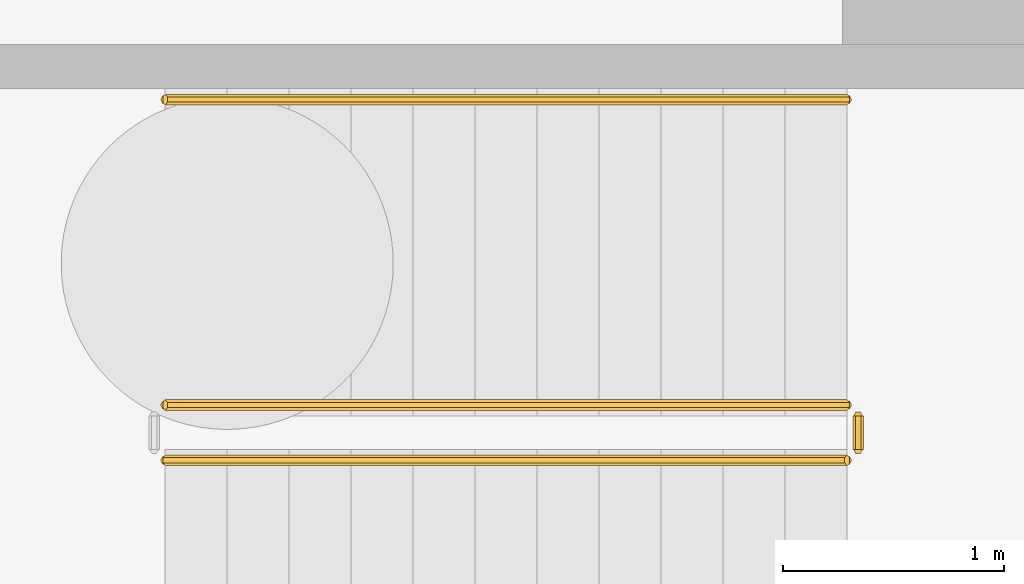
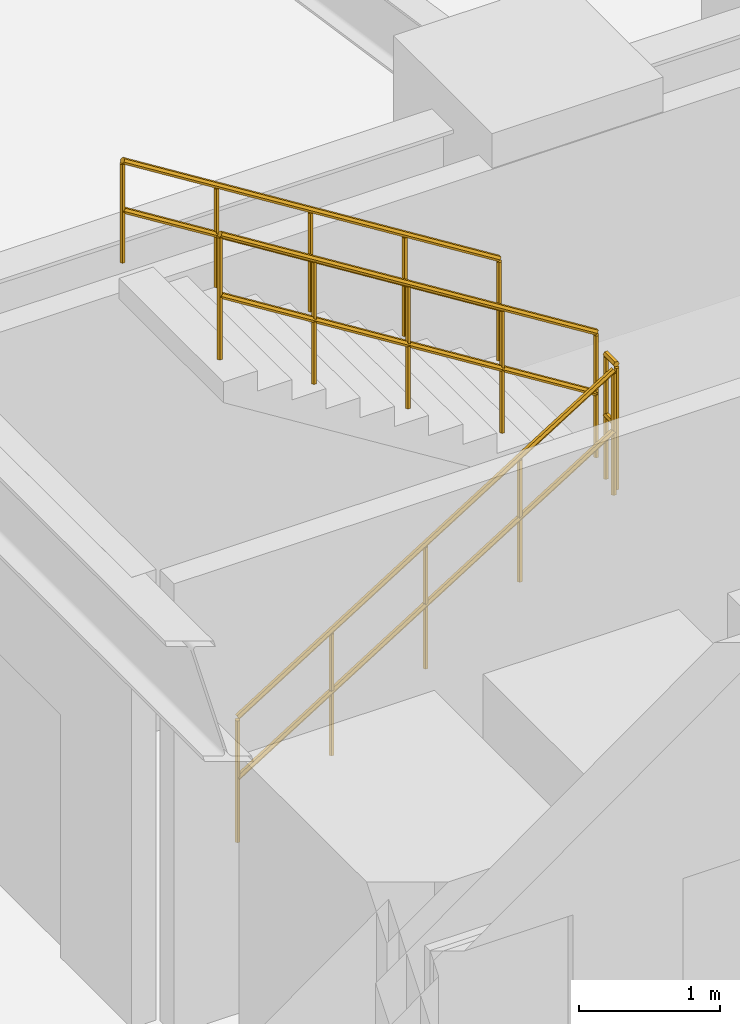
# One storey, part 21 of 23: 4 railings.
"""IFC4 building model written with IfcOpenShell, lengths in metres."""

from ifc_helpers import new_model, si_unit, direction, frame, origin, place, context, subcontext, project, spatial, polyline, outline, extrude, material, type_object, element, save


model = new_model("IFC4")

# Units and contexts
model_context = context("Model", 3, precision=1e-05, world=origin(), true_north=direction((0.0, 1.0)))
body_context = subcontext(model_context, "Body", "Model", "MODEL_VIEW")
ifc_project = project(units=[si_unit("LENGTHUNIT", "METRE"), si_unit("AREAUNIT", "SQUARE_METRE"), si_unit("VOLUMEUNIT", "CUBIC_METRE"), si_unit("PLANEANGLEUNIT", "RADIAN"), si_unit("MASSUNIT", "GRAM", prefix="KILO")], contexts=[model_context])

# Site, building, storey
site_placement = place(None, origin())
site = spatial("IfcSite", under=ifc_project, at=site_placement, CompositionType="ELEMENT")
building_placement = place(site_placement, origin())
building = spatial("IfcBuilding", under=site, at=building_placement, Name="Kelanora Arch Commons", CompositionType="ELEMENT")
storey_placement = place(building_placement, frame((0.0, 0.0, -8.39990234375)))
storey = spatial("IfcBuildingStorey", under=building, at=storey_placement, Name="B02", CompositionType="ELEMENT", Elevation=-8.39990234375)

# Railings
ifc_material_1 = material(Name="Painted steel stair well guard", Category="steel")
railing_type_1 = type_object("IfcRailingType", Name="RAIL-STAIR-GRD", PredefinedType="GUARDRAIL", material=ifc_material_1)
railing_1_placement = place(storey_placement, frame((67.719970703125, 62.610107421875, 0.1748046875)))
element("IfcRailing", 1, at=railing_1_placement, inside=storey, type_object=railing_type_1, Name="B02 ST-T1 stair guard 1", PredefinedType="GUARDRAIL", context=body_context, shape_type="SweptSolid", body=[
    extrude(outline(polyline([(0.02392578125, 0.0), (0.011962890625, 0.020751953125), (-0.011962890625, 0.020751953125), (-0.02392578125, 0.0), (-0.011962890625, -0.020751953125), (0.011962890625, -0.020751953125), (0.02392578125, 0.0)])), frame((0.0, 0.0, 1.076171875), z_axis=(0.847998304005, 0.0, 0.529998940003), x_axis=(0.0, 1.0, 0.0)), (0.0, 0.0, 1.0), 3.632080078125),
    extrude(outline(polyline([(0.02392578125, 0.0), (0.011962890625, 0.020751953125), (-0.011962890625, 0.020751953125), (-0.02392578125, 0.0), (-0.011962890625, -0.020751953125), (0.011962890625, -0.020751953125), (0.02392578125, 0.0)])), frame((0.0, 0.0, 0.550048828125), z_axis=(0.847998304005, 0.0, 0.529998940003), x_axis=(0.0, 1.0, 0.0)), (0.0, 0.0, 1.0), 3.632080078125),
    extrude(outline(polyline([(0.02099609375, 0.0), (0.010498046875, 0.01806640625), (-0.010498046875, 0.01806640625), (-0.02099609375, 0.0), (-0.010498046875, -0.01806640625), (0.010498046875, -0.01806640625), (0.02099609375, 0.0)])), origin(), (0.0, 0.0, 1.0), 1.052001953125),
    extrude(outline(polyline([(0.02099609375, 0.0), (0.010498046875, 0.01806640625), (-0.010498046875, 0.01806640625), (-0.02099609375, 0.0), (-0.010498046875, -0.01806640625), (0.010498046875, -0.01806640625), (0.02099609375, 0.0)])), frame((0.77001953125, 0.0, 0.481201171875)), (0.0, 0.0, 1.0), 1.052001953125),
    extrude(outline(polyline([(0.02099609375, 0.0), (0.010498046875, 0.01806640625), (-0.010498046875, 0.01806640625), (-0.02099609375, 0.0), (-0.010498046875, -0.01806640625), (0.010498046875, -0.01806640625), (0.02099609375, 0.0)])), frame((1.5400390625, 0.0, 0.96240234375)), (0.0, 0.0, 1.0), 1.052001953125),
    extrude(outline(polyline([(0.02099609375, 0.0), (0.010498046875, 0.01806640625), (-0.010498046875, 0.01806640625), (-0.02099609375, 0.0), (-0.010498046875, -0.01806640625), (0.010498046875, -0.01806640625), (0.02099609375, 0.0)])), frame((2.31005859375, 0.0, 1.44384765625)), (0.0, 0.0, 1.0), 1.052001953125),
    extrude(outline(polyline([(0.02099609375, 0.0), (0.010498046875, 0.01806640625), (-0.010498046875, 0.01806640625), (-0.02099609375, 0.0), (-0.010498046875, -0.01806640625), (0.010498046875, -0.01806640625), (0.02099609375, 0.0)])), frame((3.080078125, 0.0, 1.925048828125)), (0.0, 0.0, 1.0), 1.052001953125),
])
railing_2_placement = place(storey_placement, frame((70.85009765625, 62.659912109375, 2.099853515625)))
element("IfcRailing", 2, at=railing_2_placement, inside=storey, type_object=railing_type_1, Name="B02 ST-T1 stair guard 2", PredefinedType="GUARDRAIL", context=body_context, shape_type="SweptSolid", body=[
    extrude(outline(polyline([(0.02392578125, 0.0), (0.011962890625, 0.020751953125), (-0.011962890625, 0.020751953125), (-0.02392578125, 0.0), (-0.011962890625, -0.020751953125), (0.011962890625, -0.020751953125), (0.02392578125, 0.0)])), frame((0.0, 0.0, 1.076171875), z_axis=(0.0, 1.0, 0.0), x_axis=(-1.0, 0.0, 0.0)), (0.0, 0.0, 1.0), 0.150146484375),
    extrude(outline(polyline([(0.02392578125, 0.0), (0.011962890625, 0.020751953125), (-0.011962890625, 0.020751953125), (-0.02392578125, 0.0), (-0.011962890625, -0.020751953125), (0.011962890625, -0.020751953125), (0.02392578125, 0.0)])), frame((0.0, 0.0, 0.550048828125), z_axis=(0.0, 1.0, 0.0), x_axis=(-1.0, 0.0, 0.0)), (0.0, 0.0, 1.0), 0.150146484375),
    extrude(outline(polyline([(0.02099609375, 0.0), (0.010498046875, 0.01806640625), (-0.010498046875, 0.01806640625), (-0.02099609375, 0.0), (-0.010498046875, -0.01806640625), (0.010498046875, -0.01806640625), (0.02099609375, 0.0)])), origin(), (0.0, 0.0, 1.0), 1.052001953125),
    extrude(outline(polyline([(0.02099609375, 0.0), (0.010498046875, 0.01806640625), (-0.010498046875, 0.01806640625), (-0.02099609375, 0.0), (-0.010498046875, -0.01806640625), (0.010498046875, -0.01806640625), (0.02099609375, 0.0)])), frame((0.0, 0.150146484375, 0.0)), (0.0, 0.0, 1.0), 1.052001953125),
])
railing_3_placement = place(storey_placement, frame((70.800048828125, 62.860107421875, 2.27490234375)))
element("IfcRailing", 3, at=railing_3_placement, inside=storey, type_object=railing_type_1, Name="B02 ST-T1 stair guard 3", PredefinedType="GUARDRAIL", context=body_context, shape_type="SweptSolid", body=[
    extrude(outline(polyline([(0.02392578125, 0.0), (0.011962890625, 0.020751953125), (-0.011962890625, 0.020751953125), (-0.02392578125, 0.0), (-0.011962890625, -0.020751953125), (0.011962890625, -0.020751953125), (0.02392578125, 0.0)])), frame((0.0, 0.0, 1.076171875), z_axis=(-0.847998304005, 0.0, 0.529998940003), x_axis=(0.0, -1.0, 0.0)), (0.0, 0.0, 1.0), 3.632080078125),
    extrude(outline(polyline([(0.02392578125, 0.0), (0.011962890625, 0.020751953125), (-0.011962890625, 0.020751953125), (-0.02392578125, 0.0), (-0.011962890625, -0.020751953125), (0.011962890625, -0.020751953125), (0.02392578125, 0.0)])), frame((0.0, 0.0, 0.550048828125), z_axis=(-0.847998304005, 0.0, 0.529998940003), x_axis=(0.0, -1.0, 0.0)), (0.0, 0.0, 1.0), 3.632080078125),
    extrude(outline(polyline([(0.02099609375, 0.0), (0.010498046875, 0.01806640625), (-0.010498046875, 0.01806640625), (-0.02099609375, 0.0), (-0.010498046875, -0.01806640625), (0.010498046875, -0.01806640625), (0.02099609375, 0.0)])), origin(), (0.0, 0.0, 1.0), 1.052001953125),
    extrude(outline(polyline([(0.02099609375, 0.0), (0.010498046875, 0.01806640625), (-0.010498046875, 0.01806640625), (-0.02099609375, 0.0), (-0.010498046875, -0.01806640625), (0.010498046875, -0.01806640625), (0.02099609375, 0.0)])), frame((-0.77001953125, 0.0, 0.481201171875)), (0.0, 0.0, 1.0), 1.052001953125),
    extrude(outline(polyline([(0.02099609375, 0.0), (0.010498046875, 0.01806640625), (-0.010498046875, 0.01806640625), (-0.02099609375, 0.0), (-0.010498046875, -0.01806640625), (0.010498046875, -0.01806640625), (0.02099609375, 0.0)])), frame((-1.5400390625, 0.0, 0.96240234375)), (0.0, 0.0, 1.0), 1.052001953125),
    extrude(outline(polyline([(0.02099609375, 0.0), (0.010498046875, 0.01806640625), (-0.010498046875, 0.01806640625), (-0.02099609375, 0.0), (-0.010498046875, -0.01806640625), (0.010498046875, -0.01806640625), (0.02099609375, 0.0)])), frame((-2.31005859375, 0.0, 1.44384765625)), (0.0, 0.0, 1.0), 1.052001953125),
    extrude(outline(polyline([(0.02099609375, 0.0), (0.010498046875, 0.01806640625), (-0.010498046875, 0.01806640625), (-0.02099609375, 0.0), (-0.010498046875, -0.01806640625), (0.010498046875, -0.01806640625), (0.02099609375, 0.0)])), frame((-3.080078125, 0.0, 1.925048828125)), (0.0, 0.0, 1.0), 1.052001953125),
])
ifc_material_2 = material(Name="Brushed stainless steel stair handrail", Category="steel")
railing_type_2 = type_object("IfcRailingType", Name="RAIL-STAIR-HND", PredefinedType="HANDRAIL", material=ifc_material_2)
railing_4_placement = place(storey_placement, frame((70.800048828125, 64.239990234375, 2.27490234375)))
element("IfcRailing", 4, at=railing_4_placement, inside=storey, type_object=railing_type_2, Name="B02 ST-T1 stair handrail 2", PredefinedType="HANDRAIL", context=body_context, shape_type="SweptSolid", body=[
    extrude(outline(polyline([(0.02392578125, 0.0), (0.011962890625, 0.020751953125), (-0.011962890625, 0.020751953125), (-0.02392578125, 0.0), (-0.011962890625, -0.020751953125), (0.011962890625, -0.020751953125), (0.02392578125, 0.0)])), frame((0.0, 0.0, 0.8759765625), z_axis=(-0.847998304005, 0.0, 0.529998940003), x_axis=(0.0, -1.0, 0.0)), (0.0, 0.0, 1.0), 3.632080078125),
    extrude(outline(polyline([(0.02392578125, 0.0), (0.011962890625, 0.020751953125), (-0.011962890625, 0.020751953125), (-0.02392578125, 0.0), (-0.011962890625, -0.020751953125), (0.011962890625, -0.020751953125), (0.02392578125, 0.0)])), frame((0.0, 0.0, 0.449951171875), z_axis=(-0.847998304005, 0.0, 0.529998940003), x_axis=(0.0, -1.0, 0.0)), (0.0, 0.0, 1.0), 3.632080078125),
    extrude(outline(polyline([(0.02099609375, 0.0), (0.010498046875, 0.01806640625), (-0.010498046875, 0.01806640625), (-0.02099609375, 0.0), (-0.010498046875, -0.01806640625), (0.010498046875, -0.01806640625), (0.02099609375, 0.0)])), origin(), (0.0, 0.0, 1.0), 0.851806640625),
    extrude(outline(polyline([(0.02099609375, 0.0), (0.010498046875, 0.01806640625), (-0.010498046875, 0.01806640625), (-0.02099609375, 0.0), (-0.010498046875, -0.01806640625), (0.010498046875, -0.01806640625), (0.02099609375, 0.0)])), frame((-0.77001953125, 0.0, 0.481201171875)), (0.0, 0.0, 1.0), 0.851806640625),
    extrude(outline(polyline([(0.02099609375, 0.0), (0.010498046875, 0.01806640625), (-0.010498046875, 0.01806640625), (-0.02099609375, 0.0), (-0.010498046875, -0.01806640625), (0.010498046875, -0.01806640625), (0.02099609375, 0.0)])), frame((-1.5400390625, 0.0, 0.96240234375)), (0.0, 0.0, 1.0), 0.851806640625),
    extrude(outline(polyline([(0.02099609375, 0.0), (0.010498046875, 0.01806640625), (-0.010498046875, 0.01806640625), (-0.02099609375, 0.0), (-0.010498046875, -0.01806640625), (0.010498046875, -0.01806640625), (0.02099609375, 0.0)])), frame((-2.31005859375, 0.0, 1.44384765625)), (0.0, 0.0, 1.0), 0.851806640625),
    extrude(outline(polyline([(0.02099609375, 0.0), (0.010498046875, 0.01806640625), (-0.010498046875, 0.01806640625), (-0.02099609375, 0.0), (-0.010498046875, -0.01806640625), (0.010498046875, -0.01806640625), (0.02099609375, 0.0)])), frame((-3.080078125, 0.0, 1.925048828125)), (0.0, 0.0, 1.0), 0.851806640625),
])

save(model, "model.ifc")
